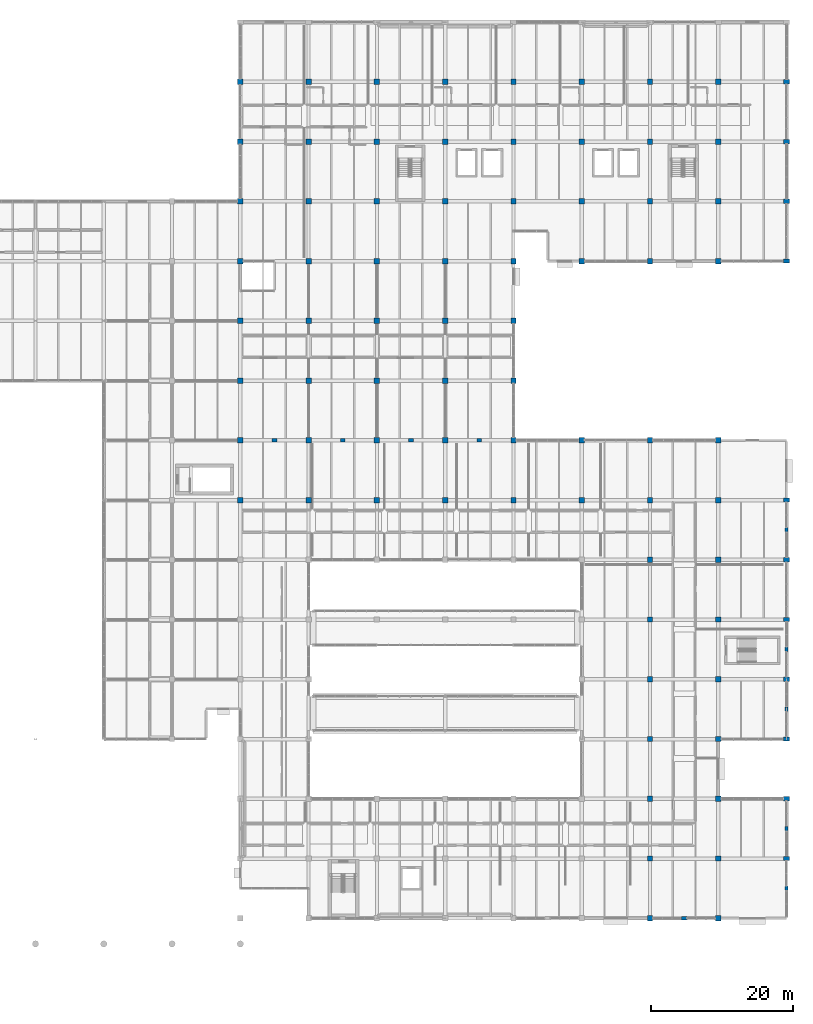
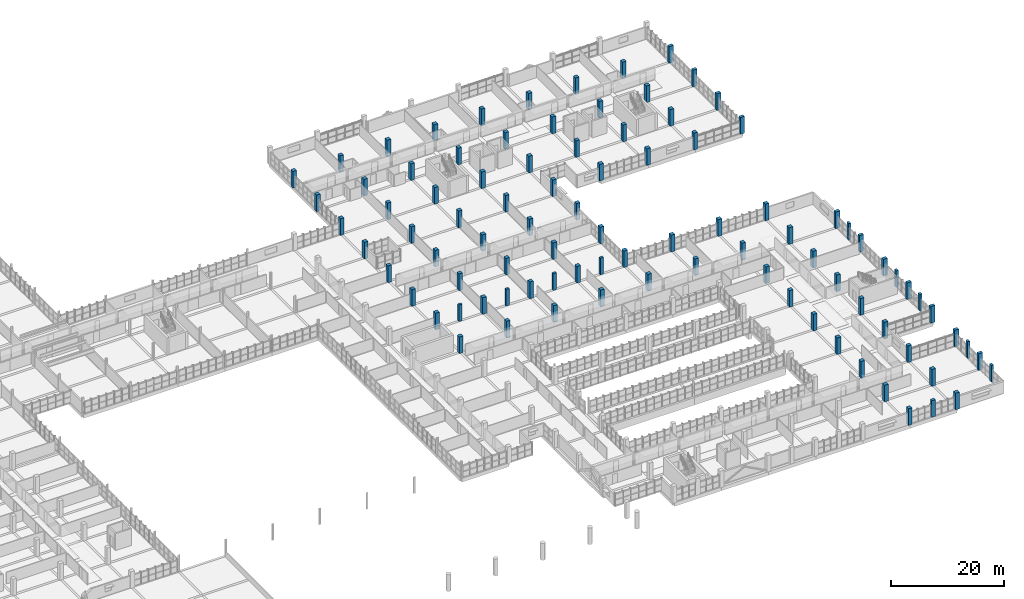
# One storey, part 17 of 147: 93 columns.
"""IFC4 building model written with IfcOpenShell, lengths in metres."""

from ifc_helpers import new_model, si_unit, direction, frame, origin, origin_2d, place, context, subcontext, project, spatial, rectangle, extrude, material, material_profile, profile_set, type_object, element, save


model = new_model("IFC4")

# Units and contexts
model_context = context("Model", 3, precision=1e-05, world=origin(), true_north=direction((0.0, 1.0)))
body_context = subcontext(model_context, "Body", "Model", "MODEL_VIEW")
ifc_project = project(units=[si_unit("LENGTHUNIT", "METRE"), si_unit("AREAUNIT", "SQUARE_METRE"), si_unit("VOLUMEUNIT", "CUBIC_METRE"), si_unit("PLANEANGLEUNIT", "RADIAN"), si_unit("MASSUNIT", "GRAM", prefix="KILO")], contexts=[model_context])

# Site, building, storey
site_placement = place(None, origin())
site = spatial("IfcSite", under=ifc_project, at=site_placement, CompositionType="ELEMENT")
building_placement = place(site_placement, origin())
building = spatial("IfcBuilding", under=site, at=building_placement, Name="Oolite Switchyard Hospital", CompositionType="ELEMENT")
storey_placement = place(building_placement, frame((0.0, 0.0, 9.89990234375)))
storey = spatial("IfcBuildingStorey", under=building, at=storey_placement, Name="L02", CompositionType="ELEMENT", Elevation=9.89990234375)

# Columns
ifc_material_1 = material(Name="Concrete C50/60", Category="concrete")
ifc_material_profile_1 = material_profile(ifc_material_1, rectangle(XDim=0.75, YDim=0.75, at=origin_2d()), Name="RC750X750")
ifc_profile_set_1 = profile_set([ifc_material_profile_1], Name="Concrete C50/60")
column_type_1 = type_object("IfcColumnType", Name="COL-RC750", PredefinedType="COLUMN", material=ifc_profile_set_1)
for number, where, z_axis, x_axis, name in (
    (1, (134.39990234375, 67.199951171875, 0.0), (0.0, 0.0, 1.0), (1.0, 0.0, 0.0), "L02 Column 801"),
    (2, (134.39990234375, 75.60009765625, 0.0), (0.0, 0.0, 1.0), (1.0, 0.0, 0.0), "L02 Column 802"),
    (3, (134.39990234375, 84.0, 0.0), (0.0, 0.0, 1.0), (1.0, 0.0, 0.0), "L02 Column 803"),
    (4, (134.39990234375, 92.39990234375, 0.0), (0.0, 0.0, 1.0), (1.0, 0.0, 0.0), "L02 Column 804"),
    (5, (134.39990234375, 100.800048828125, 0.0), (0.0, 0.0, 1.0), (1.0, 0.0, 0.0), "L02 Column 805"),
    (6, (134.39990234375, 109.199951171875, 0.0), (0.0, 0.0, 1.0), (1.0, 0.0, 0.0), "L02 Column 806"),
    (7, (134.39990234375, 117.60009765625, 0.0), (0.0, 0.0, 1.0), (1.0, 0.0, 0.0), "L02 Column 807"),
    (8, (134.39990234375, 126.0, 0.0), (0.0, 0.0, 1.0), (1.0, 0.0, 0.0), "L02 Column 808"),
    (9, (144.0, 67.199951171875, 0.0), (0.0, 0.0, 1.0), (1.0, 0.0, 0.0), "L02 Column 817"),
    (10, (144.0, 75.60009765625, 0.0), (0.0, 0.0, 1.0), (1.0, 0.0, 0.0), "L02 Column 818"),
    (11, (144.0, 84.0, 0.0), (0.0, 0.0, 1.0), (1.0, 0.0, 0.0), "L02 Column 819"),
    (12, (144.0, 92.39990234375, 0.0), (0.0, 0.0, 1.0), (1.0, 0.0, 0.0), "L02 Column 820"),
    (13, (144.0, 100.800048828125, 0.0), (0.0, 0.0, 1.0), (1.0, 0.0, 0.0), "L02 Column 821"),
    (14, (144.0, 109.199951171875, 0.0), (0.0, 0.0, 1.0), (1.0, 0.0, 0.0), "L02 Column 822"),
    (15, (144.0, 117.60009765625, 0.0), (0.0, 0.0, 1.0), (1.0, 0.0, 0.0), "L02 Column 823"),
    (16, (144.0, 126.0, 0.0), (0.0, 0.0, 1.0), (1.0, 0.0, 0.0), "L02 Column 824"),
    (17, (153.60009765625, 67.199951171875, 0.0), (0.0, 0.0, 1.0), (1.0, 0.0, 0.0), "L02 Column 835"),
    (18, (153.60009765625, 75.60009765625, 0.0), (0.0, 0.0, 1.0), (1.0, 0.0, 0.0), "L02 Column 836"),
    (19, (153.60009765625, 84.0, 0.0), (0.0, 0.0, 1.0), (1.0, 0.0, 0.0), "L02 Column 837"),
    (20, (153.60009765625, 92.39990234375, 0.0), (0.0, 0.0, 1.0), (1.0, 0.0, 0.0), "L02 Column 838"),
    (21, (153.60009765625, 100.800048828125, 0.0), (0.0, 0.0, 1.0), (1.0, 0.0, 0.0), "L02 Column 839"),
    (22, (153.60009765625, 109.199951171875, 0.0), (0.0, 0.0, 1.0), (1.0, 0.0, 0.0), "L02 Column 840"),
    (23, (153.60009765625, 117.60009765625, 0.0), (0.0, 0.0, 1.0), (1.0, 0.0, 0.0), "L02 Column 841"),
    (24, (153.60009765625, 126.0, 0.0), (0.0, 0.0, 1.0), (1.0, 0.0, 0.0), "L02 Column 842"),
    (25, (163.199951171875, 67.199951171875, 0.0), (0.0, 0.0, 1.0), (1.0, 0.0, 0.0), "L02 Column 851"),
    (26, (163.199951171875, 75.60009765625, 0.0), (0.0, 0.0, 1.0), (1.0, 0.0, 0.0), "L02 Column 852"),
    (27, (163.199951171875, 84.0, 0.0), (0.0, 0.0, 1.0), (1.0, 0.0, 0.0), "L02 Column 853"),
    (28, (163.199951171875, 92.39990234375, 0.0), (0.0, 0.0, 1.0), (1.0, 0.0, 0.0), "L02 Column 854"),
    (29, (163.199951171875, 100.800048828125, 0.0), (0.0, 0.0, 1.0), (1.0, 0.0, 0.0), "L02 Column 855"),
    (30, (163.199951171875, 109.199951171875, 0.0), (0.0, 0.0, 1.0), (1.0, 0.0, 0.0), "L02 Column 856"),
    (31, (163.199951171875, 117.60009765625, 0.0), (0.0, 0.0, 1.0), (1.0, 0.0, 0.0), "L02 Column 857"),
    (32, (163.199951171875, 126.0, 0.0), (0.0, 0.0, 1.0), (1.0, 0.0, 0.0), "L02 Column 858"),
    (33, (172.800048828125, 67.199951171875, 0.0), (0.0, 0.0, 1.0), (1.0, 0.0, 0.0), "L02 Column 865"),
    (34, (172.800048828125, 75.60009765625, 0.0), (0.0, 0.0, 1.0), (1.0, 0.0, 0.0), "L02 Column 866"),
    (35, (172.800048828125, 84.0, 0.0), (0.0, 0.0, 1.0), (1.0, 0.0, 0.0), "L02 Column 867"),
    (36, (172.800048828125, 92.39990234375, 0.0), (0.0, 0.0, 1.0), (1.0, 0.0, 0.0), "L02 Column 868"),
    (37, (172.800048828125, 100.800048828125, 0.0), (0.0, 0.0, 1.0), (1.0, 0.0, 0.0), "L02 Column 869"),
    (38, (172.800048828125, 109.199951171875, 0.0), (0.0, 0.0, 1.0), (1.0, 0.0, 0.0), "L02 Column 870"),
    (39, (172.800048828125, 117.60009765625, 0.0), (0.0, 0.0, 1.0), (1.0, 0.0, 0.0), "L02 Column 871"),
    (40, (172.800048828125, 126.0, 0.0), (0.0, 0.0, 1.0), (1.0, 0.0, 0.0), "L02 Column 872"),
    (41, (182.39990234375, 67.199951171875, 0.0), (0.0, 0.0, 1.0), (1.0, 0.0, 0.0), "L02 Column 885"),
    (42, (182.39990234375, 75.60009765625, 0.0), (0.0, 0.0, 1.0), (1.0, 0.0, 0.0), "L02 Column 886"),
    (43, (182.39990234375, 100.800048828125, 0.0), (0.0, 0.0, 1.0), (1.0, 0.0, 0.0), "L02 Column 887"),
    (44, (182.39990234375, 109.199951171875, 0.0), (0.0, 0.0, 1.0), (1.0, 0.0, 0.0), "L02 Column 888"),
    (45, (182.39990234375, 117.60009765625, 0.0), (0.0, 0.0, 1.0), (1.0, 0.0, 0.0), "L02 Column 889"),
    (46, (182.39990234375, 126.0, 0.0), (0.0, 0.0, 1.0), (1.0, 0.0, 0.0), "L02 Column 890"),
    (47, (192.0, 8.39990234375, 0.0), (0.0, 0.0, 1.0), (1.0, 0.0, 0.0), "L02 Column 892"),
    (48, (192.0, 16.800048828125, 0.0), (0.0, 0.0, 1.0), (1.0, 0.0, 0.0), "L02 Column 893"),
    (49, (192.0, 25.199951171875, 0.0), (0.0, 0.0, 1.0), (1.0, 0.0, 0.0), "L02 Column 894"),
    (50, (192.0, 33.60009765625, 0.0), (0.0, 0.0, 1.0), (1.0, 0.0, 0.0), "L02 Column 895"),
    (51, (192.0, 42.0, 0.0), (0.0, 0.0, 1.0), (1.0, 0.0, 0.0), "L02 Column 896"),
    (52, (192.0, 50.39990234375, 0.0), (0.0, 0.0, 1.0), (1.0, 0.0, 0.0), "L02 Column 897"),
    (53, (192.0, 58.800048828125, 0.0), (0.0, 0.0, 1.0), (1.0, 0.0, 0.0), "L02 Column 898"),
    (54, (192.0, 67.199951171875, 0.0), (0.0, 0.0, 1.0), (1.0, 0.0, 0.0), "L02 Column 899"),
    (55, (192.0, 75.60009765625, 0.0), (0.0, 0.0, 1.0), (1.0, 0.0, 0.0), "L02 Column 900"),
    (56, (192.0, 100.800048828125, 0.0), (0.0, 0.0, 1.0), (1.0, 0.0, 0.0), "L02 Column 901"),
    (57, (192.0, 109.199951171875, 0.0), (0.0, 0.0, 1.0), (1.0, 0.0, 0.0), "L02 Column 902"),
    (58, (192.0, 117.60009765625, 0.0), (0.0, 0.0, 1.0), (1.0, 0.0, 0.0), "L02 Column 903"),
    (59, (192.0, 126.0, 0.0), (0.0, 0.0, 1.0), (1.0, 0.0, 0.0), "L02 Column 904"),
    (60, (201.60009765625, 8.39990234375, 0.0), (0.0, 0.0, 1.0), (1.0, 0.0, 0.0), "L02 Column 906"),
    (61, (201.60009765625, 16.800048828125, 0.0), (0.0, 0.0, 1.0), (1.0, 0.0, 0.0), "L02 Column 907"),
    (62, (201.60009765625, 25.199951171875, 0.0), (0.0, 0.0, 1.0), (1.0, 0.0, 0.0), "L02 Column 908"),
    (63, (201.60009765625, 33.60009765625, 0.0), (0.0, 0.0, 1.0), (1.0, 0.0, 0.0), "L02 Column 909"),
    (64, (201.60009765625, 42.0, 0.0), (0.0, 0.0, 1.0), (1.0, 0.0, 0.0), "L02 Column 910"),
    (65, (201.60009765625, 50.39990234375, 0.0), (0.0, 0.0, 1.0), (1.0, 0.0, 0.0), "L02 Column 911"),
    (66, (201.60009765625, 58.800048828125, 0.0), (0.0, 0.0, 1.0), (1.0, 0.0, 0.0), "L02 Column 912"),
    (67, (201.60009765625, 67.199951171875, 0.0), (0.0, 0.0, 1.0), (1.0, 0.0, 0.0), "L02 Column 913"),
    (68, (201.60009765625, 75.60009765625, 0.0), (0.0, 0.0, 1.0), (1.0, 0.0, 0.0), "L02 Column 914"),
    (69, (201.60009765625, 100.800048828125, 0.0), (0.0, 0.0, 1.0), (1.0, 0.0, 0.0), "L02 Column 915"),
    (70, (201.60009765625, 109.199951171875, 0.0), (0.0, 0.0, 1.0), (1.0, 0.0, 0.0), "L02 Column 916"),
    (71, (201.60009765625, 117.60009765625, 0.0), (0.0, 0.0, 1.0), (1.0, 0.0, 0.0), "L02 Column 917"),
    (72, (201.60009765625, 126.0, 0.0), (0.0, 0.0, 1.0), (1.0, 0.0, 0.0), "L02 Column 918"),
):
    element("IfcColumn", number, at=place(storey_placement, frame(where, z_axis=z_axis, x_axis=x_axis)), inside=storey, type_object=column_type_1, Name=name, PredefinedType="COLUMN", context=body_context, shape_type="SweptSolid", body=[
        extrude(rectangle(XDim=0.75, YDim=0.75, at=origin_2d()), origin(), (0.0, 0.0, 1.0), 3.60009765625),
    ])
ifc_material_profile_2 = material_profile(ifc_material_1, rectangle(XDim=0.85009765625, YDim=0.60009765625, at=origin_2d()), Name="RC850X600")
ifc_profile_set_2 = profile_set([ifc_material_profile_2], Name="Concrete C50/60")
column_type_2 = type_object("IfcColumnType", Name="COL-RCR850", PredefinedType="COLUMN", material=ifc_profile_set_2)
for number, where, z_axis, x_axis, name in (
    (73, (211.199951171875, 16.800048828125, 0.0), (0.0, 0.0, 1.0), (1.0, 0.0, 0.0), "L02 Column 920"),
    (74, (211.199951171875, 25.199951171875, 0.0), (0.0, 0.0, 1.0), (1.0, 0.0, 0.0), "L02 Column 921"),
    (75, (211.199951171875, 33.60009765625, 0.0), (0.0, 0.0, 1.0), (1.0, 0.0, 0.0), "L02 Column 922"),
    (76, (211.199951171875, 42.0, 0.0), (0.0, 0.0, 1.0), (1.0, 0.0, 0.0), "L02 Column 923"),
    (77, (211.199951171875, 50.39990234375, 0.0), (0.0, 0.0, 1.0), (1.0, 0.0, 0.0), "L02 Column 924"),
    (78, (211.199951171875, 58.800048828125, 0.0), (0.0, 0.0, 1.0), (1.0, 0.0, 0.0), "L02 Column 925"),
    (79, (211.199951171875, 67.199951171875, 0.0), (0.0, 0.0, 1.0), (1.0, 0.0, 0.0), "L02 Column 926"),
    (80, (211.199951171875, 100.800048828125, 0.0), (0.0, 0.0, 1.0), (1.0, 0.0, 0.0), "L02 Column 927"),
    (81, (211.199951171875, 109.199951171875, 0.0), (0.0, 0.0, 1.0), (1.0, 0.0, 0.0), "L02 Column 928"),
    (82, (211.199951171875, 117.60009765625, 0.0), (0.0, 0.0, 1.0), (1.0, 0.0, 0.0), "L02 Column 929"),
    (83, (211.199951171875, 126.0, 0.0), (0.0, 0.0, 1.0), (1.0, 0.0, 0.0), "L02 Column 930"),
):
    element("IfcColumn", number, at=place(storey_placement, frame(where, z_axis=z_axis, x_axis=x_axis)), inside=storey, type_object=column_type_2, Name=name, PredefinedType="COLUMN", context=body_context, shape_type="SweptSolid", body=[
        extrude(rectangle(XDim=0.85009765625, YDim=0.60009765625, at=origin_2d()), origin(), (0.0, 0.0, 1.0), 3.60009765625),
    ])
ifc_material_2 = material(Name="Precast concrete C40/50", Category="concrete")
ifc_material_profile_3 = material_profile(ifc_material_2, rectangle(XDim=0.449951171875, YDim=0.64990234375, at=origin_2d()), Name="PIL450X650")
ifc_profile_set_3 = profile_set([ifc_material_profile_3], Name="Precast concrete C40/50")
column_type_3 = type_object("IfcColumnType", Name="PIL-450X650", PredefinedType="PILASTER", material=ifc_profile_set_3)
for number, where, z_axis, x_axis, name in (
    (84, (211.199951171875, 12.60009765625, 0.0), (0.0, 0.0, 1.0), (1.0, 0.0, 0.0), "L02 Classical Pilaster 37"),
    (85, (211.199951171875, 21.0, 0.0), (0.0, 0.0, 1.0), (1.0, 0.0, 0.0), "L02 Classical Pilaster 38"),
    (86, (211.199951171875, 37.800048828125, 0.0), (0.0, 0.0, 1.0), (1.0, 0.0, 0.0), "L02 Classical Pilaster 39"),
    (87, (211.199951171875, 46.199951171875, 0.0), (0.0, 0.0, 1.0), (1.0, 0.0, 0.0), "L02 Classical Pilaster 40"),
    (88, (211.199951171875, 63.0, 0.0), (0.0, 0.0, 1.0), (1.0, 0.0, 0.0), "L02 Classical Pilaster 41"),
):
    element("IfcColumn", number, at=place(storey_placement, frame(where, z_axis=z_axis, x_axis=x_axis)), inside=storey, type_object=column_type_3, Name=name, PredefinedType="PILASTER", context=body_context, shape_type="SweptSolid", body=[
        extrude(rectangle(XDim=0.449951171875, YDim=0.64990234375, at=origin_2d()), origin(), (0.0, 0.0, 1.0), 3.60009765625),
    ])
ifc_material_profile_4 = material_profile(ifc_material_2, rectangle(XDim=0.64990234375, YDim=0.449951171875, at=origin_2d()), Name="PIL650X450")
ifc_profile_set_4 = profile_set([ifc_material_profile_4], Name="Precast concrete C40/50")
column_type_4 = type_object("IfcColumnType", Name="PIL-650X450", PredefinedType="PILASTER", material=ifc_profile_set_4)
for number, where, z_axis, x_axis, name in (
    (89, (139.199951171875, 75.60009765625, 0.0), (0.0, 0.0, 1.0), (1.0, 0.0, 0.0), "L02 Classical Pilaster 42"),
    (90, (148.800048828125, 75.60009765625, 0.0), (0.0, 0.0, 1.0), (1.0, 0.0, 0.0), "L02 Classical Pilaster 43"),
    (91, (158.39990234375, 75.60009765625, 0.0), (0.0, 0.0, 1.0), (1.0, 0.0, 0.0), "L02 Classical Pilaster 44"),
    (92, (168.0, 75.60009765625, 0.0), (0.0, 0.0, 1.0), (1.0, 0.0, 0.0), "L02 Classical Pilaster 45"),
):
    element("IfcColumn", number, at=place(storey_placement, frame(where, z_axis=z_axis, x_axis=x_axis)), inside=storey, type_object=column_type_4, Name=name, PredefinedType="PILASTER", context=body_context, shape_type="SweptSolid", body=[
        extrude(rectangle(XDim=0.64990234375, YDim=0.449951171875, at=origin_2d()), origin(), (0.0, 0.0, 1.0), 3.60009765625),
    ])
ifc_material_profile_5 = material_profile(ifc_material_2, rectangle(XDim=0.75, YDim=0.5, at=origin_2d()), Name="PIL750X500")
ifc_profile_set_5 = profile_set([ifc_material_profile_5], Name="Precast concrete C40/50")
column_type_5 = type_object("IfcColumnType", Name="PIL-750X500", PredefinedType="PILASTER", material=ifc_profile_set_5)
column_placement = place(storey_placement, frame((196.800048828125, 8.39990234375, 0.0), z_axis=(0.0, 0.0, 1.0), x_axis=(1.0, 0.0, 0.0)))
element("IfcColumn", 93, at=column_placement, inside=storey, type_object=column_type_5, Name="L02 Classical Pilaster 36", PredefinedType="PILASTER", context=body_context, shape_type="SweptSolid", body=[
    extrude(rectangle(XDim=0.75, YDim=0.5, at=origin_2d()), origin(), (0.0, 0.0, 1.0), 3.60009765625),
])

save(model, "model.ifc")
